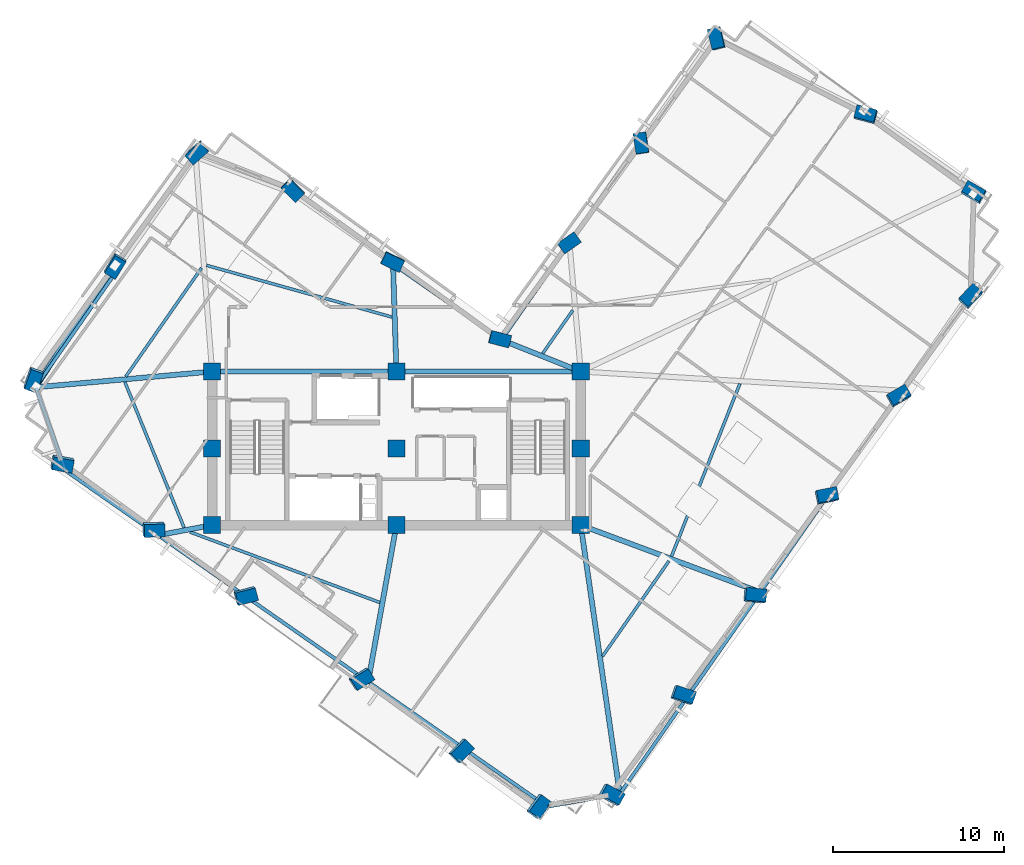
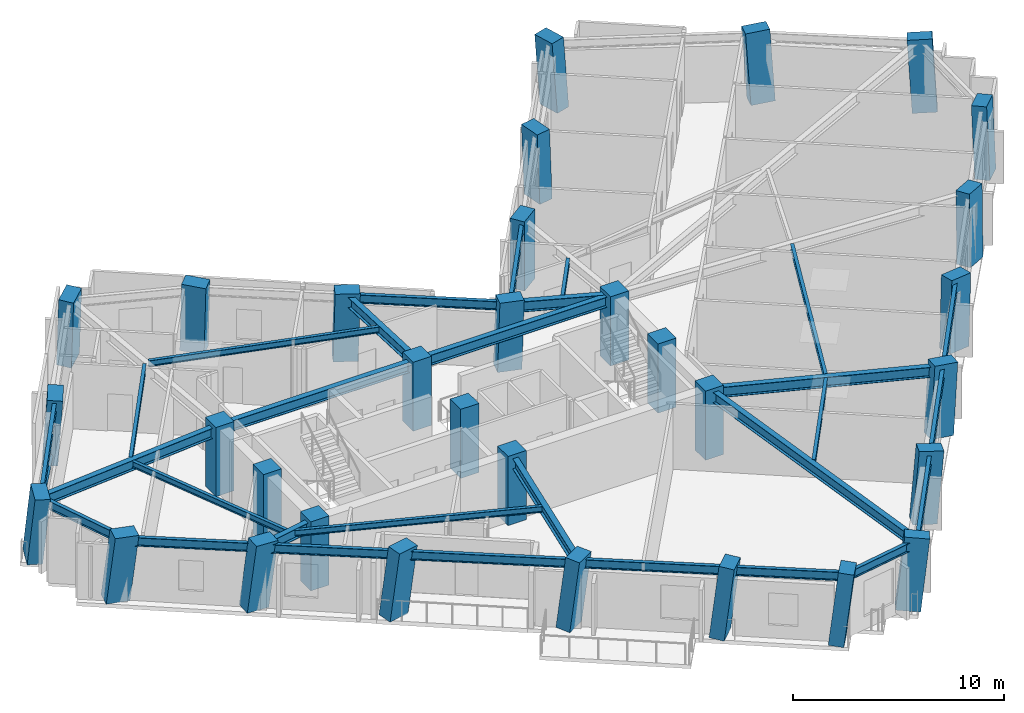
# One storey, part 1 of 13: 32 columns, 29 beams, 1 member.
"""IFC4 building model written with IfcOpenShell, lengths in metres."""

from ifc_helpers import new_model, si_unit, direction, frame, origin, origin_2d, place, context, subcontext, project, spatial, rectangle, hollow_circle, i_section, extrude, material, material_profile, profile_set, type_object, element, save


model = new_model("IFC4")

# Units and contexts
model_context = context("Model", 3, precision=1e-05, world=origin(), true_north=direction((0.0, 1.0)))
body_context = subcontext(model_context, "Body", "Model", "MODEL_VIEW")
ifc_project = project(units=[si_unit("LENGTHUNIT", "METRE"), si_unit("AREAUNIT", "SQUARE_METRE"), si_unit("VOLUMEUNIT", "CUBIC_METRE"), si_unit("PLANEANGLEUNIT", "RADIAN"), si_unit("MASSUNIT", "GRAM", prefix="KILO")], contexts=[model_context])

# Site, building, storey
site_placement = place(None, origin())
site = spatial("IfcSite", under=ifc_project, at=site_placement, CompositionType="ELEMENT")
building_placement = place(site_placement, origin())
building = spatial("IfcBuilding", under=site, at=building_placement, Name="Gaonmaruhae Medical Tower", CompositionType="ELEMENT")
storey_placement = place(building_placement, frame((0.0, 0.0, 255.199951171875)))
storey = spatial("IfcBuildingStorey", under=building, at=storey_placement, Name="L61", CompositionType="ELEMENT", Elevation=255.199951171875)

# Columns
ifc_material_1 = material(Name="Concrete C50/60", Category="concrete")
ifc_material_profile_1 = material_profile(ifc_material_1, rectangle(XDim=1.0, YDim=1.0, at=origin_2d()), Name="RC-1000x1000")
ifc_profile_set_1 = profile_set([ifc_material_profile_1], Name="Concrete C50/60")
column_type_1 = type_object("IfcColumnType", Name="CC-05 Zone 4 Core Column (RC-1000x1000)", PredefinedType="COLUMN", material=ifc_profile_set_1)
for number, where, z_axis, x_axis, name in (
    (1, (14.0, 7.800048828125, 0.0), (0.0, 0.0, 1.0), (1.0, 0.0, 0.0), "L61 Plumb Core Column CC11"),
    (2, (14.0, 12.300048828125, 0.0), (0.0, 0.0, 1.0), (1.0, 0.0, 0.0), "L61 Plumb Core Column CC12"),
    (3, (14.0, 16.800048828125, 0.0), (0.0, 0.0, 1.0), (1.0, 0.0, 0.0), "L61 Plumb Core Column CC13"),
    (4, (24.800048828125, 7.800048828125, 0.0), (0.0, 0.0, 1.0), (1.0, 0.0, 0.0), "L61 Plumb Core Column CC21"),
    (5, (24.800048828125, 12.300048828125, 0.0), (0.0, 0.0, 1.0), (1.0, 0.0, 0.0), "L61 Plumb Core Column CC22"),
    (6, (24.800048828125, 16.800048828125, 0.0), (0.0, 0.0, 1.0), (1.0, 0.0, 0.0), "L61 Plumb Core Column CC23"),
    (7, (35.60009765625, 7.800048828125, 0.0), (0.0, 0.0, 1.0), (1.0, 0.0, 0.0), "L61 Plumb Core Column CC31"),
    (8, (35.60009765625, 12.300048828125, 0.0), (0.0, 0.0, 1.0), (1.0, 0.0, 0.0), "L61 Plumb Core Column CC32"),
    (9, (35.60009765625, 16.800048828125, 0.0), (0.0, 0.0, 1.0), (1.0, 0.0, 0.0), "L61 Plumb Core Column CC33"),
):
    element("IfcColumn", number, at=place(storey_placement, frame(where, z_axis=z_axis, x_axis=x_axis)), inside=storey, type_object=column_type_1, Name=name, PredefinedType="COLUMN", context=body_context, shape_type="SweptSolid", body=[
        extrude(rectangle(XDim=1.0, YDim=1.0, at=origin_2d()), origin(), (0.0, 0.0, 1.0), 4.0),
    ])
ifc_material_profile_2 = material_profile(ifc_material_1, rectangle(XDim=1.199951171875, YDim=0.75, at=origin_2d()), Name="RC-1200x750")
ifc_profile_set_2 = profile_set([ifc_material_profile_2], Name="Concrete C50/60")
column_type_2 = type_object("IfcColumnType", Name="TC-03 Upper Raking Tube Pier Column (RC-1200x750)", PredefinedType="COLUMN", material=ifc_profile_set_2)
column_1_placement = place(storey_placement, frame((37.3447265625, -8.008544921875, 0.001953125), z_axis=(0.134611265508, 0.016523774948, 0.990760703732), x_axis=(-0.868437215184, 0.483458914393, 0.109928528495)))
element("IfcColumn", 10, at=column_1_placement, inside=storey, type_object=column_type_2, Name="L61 Perimeter Tube Column S01", PredefinedType="COLUMN", context=body_context, shape_type="SweptSolid", body=[
    extrude(rectangle(XDim=1.199951171875, YDim=0.75, at=origin_2d()), origin(), (0.0, 0.0, 1.0), 4.03369140625),
])
column_2_placement = place(storey_placement, frame((41.5615234375, -2.172607421875, 0.001953125), z_axis=(0.110801547545, 0.033738039669, 0.993269732621), x_axis=(-0.940781872951, 0.325754058445, 0.093881632568)))
element("IfcColumn", 11, at=column_2_placement, inside=storey, type_object=column_type_2, Name="L61 Perimeter Tube Column S02", PredefinedType="COLUMN", context=body_context, shape_type="SweptSolid", body=[
    extrude(rectangle(XDim=1.199951171875, YDim=0.75, at=origin_2d()), origin(), (0.0, 0.0, 1.0), 4.0234375),
])
column_3_placement = place(storey_placement, frame((45.7783203125, 3.66357421875, 0.001953125), z_axis=(0.086734862817, 0.050934698697, 0.994928499964), x_axis=(-0.991973488949, 0.09665186212, 0.081529226481)))
element("IfcColumn", 12, at=column_3_placement, inside=storey, type_object=column_type_2, Name="L61 Perimeter Tube Column S03", PredefinedType="COLUMN", context=body_context, shape_type="SweptSolid", body=[
    extrude(rectangle(XDim=1.199951171875, YDim=0.75, at=origin_2d()), origin(), (0.0, 0.0, 1.0), 4.0166015625),
])
column_4_placement = place(storey_placement, frame((49.9951171875, 9.49951171875, 0.001953125), z_axis=(0.062592857053, 0.068189108606, 0.995706974824), x_axis=(-0.977221341298, -0.198518401918, 0.075025956915)))
element("IfcColumn", 13, at=column_4_placement, inside=storey, type_object=column_type_2, Name="L61 Perimeter Tube Column S04", PredefinedType="COLUMN", context=body_context, shape_type="SweptSolid", body=[
    extrude(rectangle(XDim=1.199951171875, YDim=0.75, at=origin_2d()), origin(), (0.0, 0.0, 1.0), 4.013671875),
])
column_5_placement = place(storey_placement, frame((54.2119140625, 15.33544921875, 0.001953125), z_axis=(0.038318426238, 0.085395349901, 0.995610030296), x_axis=(-0.864713750132, -0.496502169968, 0.075866498211)))
element("IfcColumn", 14, at=column_5_placement, inside=storey, type_object=column_type_2, Name="L61 Perimeter Tube Column S05", PredefinedType="COLUMN", context=body_context, shape_type="SweptSolid", body=[
    extrude(rectangle(XDim=1.199951171875, YDim=0.75, at=origin_2d()), origin(), (0.0, 0.0, 1.0), 4.013916015625),
])
column_6_placement = place(storey_placement, frame((58.428466796875, 21.171630859375, 0.001953125), z_axis=(0.014157894762, 0.102447255662, 0.994637679672), x_axis=(-0.69051780132, -0.718441374913, 0.08382813891)))
element("IfcColumn", 15, at=column_6_placement, inside=storey, type_object=column_type_2, Name="L61 Perimeter Tube Column S06", PredefinedType="COLUMN", context=body_context, shape_type="SweptSolid", body=[
    extrude(rectangle(XDim=1.199951171875, YDim=0.75, at=origin_2d()), origin(), (0.0, 0.0, 1.0), 4.017822265625),
])
column_7_placement = place(storey_placement, frame((58.630126953125, 27.256103515625, 0.001953125), z_axis=(-0.010937120027, 0.103112737144, 0.994609542908), x_axis=(0.867473204164, -0.493763417536, 0.060728309384)))
element("IfcColumn", 16, at=column_7_placement, inside=storey, type_object=column_type_2, Name="L61 Perimeter Tube Column E01", PredefinedType="COLUMN", context=body_context, shape_type="SweptSolid", body=[
    extrude(rectangle(XDim=1.199951171875, YDim=0.75, at=origin_2d()), origin(), (0.0, 0.0, 1.0), 4.01806640625),
])
column_8_placement = place(storey_placement, frame((52.307861328125, 31.82421875, 0.001953125), z_axis=(-0.029649872791, 0.077016610023, 0.996588845424), x_axis=(0.966131124092, -0.253484840715, 0.048333079659)))
element("IfcColumn", 17, at=column_8_placement, inside=storey, type_object=column_type_2, Name="L61 Perimeter Tube Column E02", PredefinedType="COLUMN", context=body_context, shape_type="SweptSolid", body=[
    extrude(rectangle(XDim=1.199951171875, YDim=0.75, at=origin_2d()), origin(), (0.0, 0.0, 1.0), 4.010009765625),
])
column_9_placement = place(storey_placement, frame((43.56689453125, 36.289306640625, 0.001953125), z_axis=(-0.047861468634, 0.040849915904, 0.998018318565), x_axis=(0.235093031796, -0.970633778523, 0.051003278244)))
element("IfcColumn", 18, at=column_9_placement, inside=storey, type_object=column_type_2, Name="L61 Perimeter Tube Column E03", PredefinedType="COLUMN", context=body_context, shape_type="SweptSolid", body=[
    extrude(rectangle(XDim=1.199951171875, YDim=0.75, at=origin_2d()), origin(), (0.0, 0.0, 1.0), 4.00439453125),
])
column_10_placement = place(storey_placement, frame((39.145263671875, 30.169677734375, 0.001953125), z_axis=(-0.022408981669, 0.022775341042, 0.99948943035), x_axis=(0.150719539021, -0.988237272701, 0.025898135105)))
element("IfcColumn", 19, at=column_10_placement, inside=storey, type_object=column_type_2, Name="L61 Perimeter Tube Column EN01", PredefinedType="COLUMN", context=body_context, shape_type="SweptSolid", body=[
    extrude(rectangle(XDim=1.199951171875, YDim=0.75, at=origin_2d()), origin(), (0.0, 0.0, 1.0), 3.998291015625),
])
column_11_placement = place(storey_placement, frame((34.928466796875, 24.33349609375, 0.001953125), z_axis=(0.001893791031, 0.005559193026, 0.999982754316), x_axis=(-0.815748535883, -0.578387124425, 0.004760305024)))
element("IfcColumn", 20, at=column_11_placement, inside=storey, type_object=column_type_2, Name="L61 Perimeter Tube Column EN02", PredefinedType="COLUMN", context=body_context, shape_type="SweptSolid", body=[
    extrude(rectangle(XDim=1.199951171875, YDim=0.75, at=origin_2d()), origin(), (0.0, 0.0, 1.0), 3.996337890625),
])
column_12_placement = place(storey_placement, frame((30.858154296875, 18.7001953125, 0.001953125), z_axis=(0.025404102612, -0.011175362447, 0.999614797232), x_axis=(-0.967383589686, 0.251829726093, 0.027400355134)))
element("IfcColumn", 21, at=column_12_placement, inside=storey, type_object=column_type_2, Name="L61 Perimeter Tube Column KN01", PredefinedType="COLUMN", context=body_context, shape_type="SweptSolid", body=[
    extrude(rectangle(XDim=1.199951171875, YDim=0.75, at=origin_2d()), origin(), (0.0, 0.0, 1.0), 3.997802734375),
])
column_13_placement = place(storey_placement, frame((24.576416015625, 23.239013671875, 0.001953125), z_axis=(0.006776235998, -0.037299821574, 0.999281144592), x_axis=(-0.902108356934, 0.430937987842, 0.022202769759)))
element("IfcColumn", 22, at=column_13_placement, inside=storey, type_object=column_type_2, Name="L61 Perimeter Tube Column NE01", PredefinedType="COLUMN", context=body_context, shape_type="SweptSolid", body=[
    extrude(rectangle(XDim=1.199951171875, YDim=0.75, at=origin_2d()), origin(), (0.0, 0.0, 1.0), 3.999267578125),
])
column_14_placement = place(storey_placement, frame((18.740234375, 27.455810546875, 0.001953125), z_axis=(-0.010426179939, -0.061581530636, 0.998047598993), x_axis=(-0.7016048019, 0.711626761454, 0.036579425007)))
element("IfcColumn", 23, at=column_14_placement, inside=storey, type_object=column_type_2, Name="L61 Perimeter Tube Column NE02", PredefinedType="COLUMN", context=body_context, shape_type="SweptSolid", body=[
    extrude(rectangle(XDim=1.199951171875, YDim=0.75, at=origin_2d()), origin(), (0.0, 0.0, 1.0), 4.004150390625),
])
column_15_placement = place(storey_placement, frame((13.1201171875, 29.666015625, 0.001953125), z_axis=(-0.019414311893, -0.08471699735, 0.996215897712), x_axis=(0.751239915537, 0.65625887823, 0.070447668859)))
element("IfcColumn", 24, at=column_15_placement, inside=storey, type_object=column_type_2, Name="L61 Perimeter Tube Column N01", PredefinedType="COLUMN", context=body_context, shape_type="SweptSolid", body=[
    extrude(rectangle(XDim=1.199951171875, YDim=0.75, at=origin_2d()), origin(), (0.0, 0.0, 1.0), 4.011474609375),
])
column_16_placement = place(storey_placement, frame((8.317626953125, 23.01953125, 0.001953125), z_axis=(0.008202176681, -0.10413726542, 0.994529111816), x_axis=(0.520560631231, 0.849616141392, 0.084670192506)))
element("IfcColumn", 25, at=column_16_placement, inside=storey, type_object=column_type_2, Name="L61 Perimeter Tube Column N02", PredefinedType="COLUMN", context=body_context, shape_type="SweptSolid", body=[
    extrude(rectangle(XDim=1.199951171875, YDim=0.75, at=origin_2d()), origin(), (0.0, 0.0, 1.0), 4.018310546875),
])
column_17_placement = place(storey_placement, frame((3.515380859375, 16.373046875, 0.001953125), z_axis=(0.035623982512, -0.123411653703, 0.991715934933), x_axis=(0.339757548068, 0.934732419667, 0.104115859283)))
element("IfcColumn", 26, at=column_17_placement, inside=storey, type_object=column_type_2, Name="L61 Perimeter Tube Column N03", PredefinedType="COLUMN", context=body_context, shape_type="SweptSolid", body=[
    extrude(rectangle(XDim=1.199951171875, YDim=0.75, at=origin_2d()), origin(), (0.0, 0.0, 1.0), 4.02978515625),
])
column_18_placement = place(storey_placement, frame((5.203125, 11.4521484375, 0.001953125), z_axis=(0.055855526664, -0.116254615693, 0.991647631203), x_axis=(-0.98211534436, 0.172463303398, 0.075537138904)))
element("IfcColumn", 27, at=column_18_placement, inside=storey, type_object=column_type_2, Name="L61 Perimeter Tube Column W01", PredefinedType="COLUMN", context=body_context, shape_type="SweptSolid", body=[
    extrude(rectangle(XDim=1.199951171875, YDim=0.75, at=origin_2d()), origin(), (0.0, 0.0, 1.0), 4.030029296875),
])
column_19_placement = place(storey_placement, frame((10.552978515625, 7.5869140625, 0.001953125), z_axis=(0.071580718062, -0.094268165991, 0.992970147428), x_axis=(-0.997228265917, -0.02702229823, 0.069322298389)))
element("IfcColumn", 28, at=column_19_placement, inside=storey, type_object=column_type_2, Name="L61 Perimeter Tube Column W02", PredefinedType="COLUMN", context=body_context, shape_type="SweptSolid", body=[
    extrude(rectangle(XDim=1.199951171875, YDim=0.75, at=origin_2d()), origin(), (0.0, 0.0, 1.0), 4.024658203125),
])
column_20_placement = place(storey_placement, frame((15.943115234375, 3.692138671875, 0.001953125), z_axis=(0.087525830484, -0.071987264184, 0.993557780299), x_axis=(-0.964292743084, -0.256387070129, 0.066371499197)))
element("IfcColumn", 29, at=column_20_placement, inside=storey, type_object=column_type_2, Name="L61 Perimeter Tube Column W03", PredefinedType="COLUMN", context=body_context, shape_type="SweptSolid", body=[
    extrude(rectangle(XDim=1.199951171875, YDim=0.75, at=origin_2d()), origin(), (0.0, 0.0, 1.0), 4.022216796875),
])
column_21_placement = place(storey_placement, frame((22.711181640625, -1.197998046875, 0.001953125), z_axis=(0.10740076989, -0.043931162373, 0.993244747079), x_axis=(-0.845277607814, -0.529987984492, 0.067959561675)))
element("IfcColumn", 30, at=column_21_placement, inside=storey, type_object=column_type_2, Name="L61 Perimeter Tube Column W04", PredefinedType="COLUMN", context=body_context, shape_type="SweptSolid", body=[
    extrude(rectangle(XDim=1.199951171875, YDim=0.75, at=origin_2d()), origin(), (0.0, 0.0, 1.0), 4.0234375),
])
column_22_placement = place(storey_placement, frame((28.547119140625, -5.414794921875, 0.001953125), z_axis=(0.124420758692, -0.019757022569, 0.99203282953), x_axis=(-0.700926607368, -0.709406882175, 0.073781885353)))
element("IfcColumn", 31, at=column_22_placement, inside=storey, type_object=column_type_2, Name="L61 Perimeter Tube Column W05", PredefinedType="COLUMN", context=body_context, shape_type="SweptSolid", body=[
    extrude(rectangle(XDim=1.199951171875, YDim=0.75, at=origin_2d()), origin(), (0.0, 0.0, 1.0), 4.0283203125),
])
column_23_placement = place(storey_placement, frame((33.08642578125, -8.6943359375, 0.001953125), z_axis=(0.137540264824, -0.00102867774, 0.990495642279), x_axis=(-0.586144682843, -0.806191871811, 0.080554804953)))
element("IfcColumn", 32, at=column_23_placement, inside=storey, type_object=column_type_2, Name="L61 Perimeter Tube Column W06", PredefinedType="COLUMN", context=body_context, shape_type="SweptSolid", body=[
    extrude(rectangle(XDim=1.199951171875, YDim=0.75, at=origin_2d()), origin(), (0.0, 0.0, 1.0), 4.03466796875),
])

# Beams
ifc_material_2 = material(Name="Steel SM355", Category="steel")
ifc_material_profile_3 = material_profile(ifc_material_2, i_section(OverallWidth=0.175048828125, OverallDepth=0.35009765625, WebThickness=0.007080078125, FlangeThickness=0.010986328125, FilletRadius=0.012939453125, at=origin_2d()), Name="H-350x175x7x11")
ifc_profile_set_3 = profile_set([ifc_material_profile_3], Name="Steel SM355")
beam_type_1 = type_object("IfcBeamType", Name="FJ-02 Upper Zone Ward Floor Joist (H-350x175x7x11)", PredefinedType="JOIST", material=ifc_profile_set_3)
beam_1_placement = place(storey_placement, frame((36.872802734375, 0.11376953125, 3.60498046875), z_axis=(0.572163101073, 0.820139857446, 0.0), x_axis=(-0.820139857446, 0.572163101073, 0.0)))
element("IfcBeam", 33, at=beam_1_placement, inside=storey, type_object=beam_type_1, Name="L61 Secondary Floor Joist FJ01", PredefinedType="JOIST", context=body_context, shape_type="SweptSolid", body=[
    extrude(i_section(OverallWidth=0.175048828125, OverallDepth=0.35009765625, WebThickness=0.007080078125, FlangeThickness=0.010986328125, FilletRadius=0.012939453125, at=origin_2d()), origin(), (0.0, 0.0, 1.0), 6.81396484375),
])
beam_2_placement = place(storey_placement, frame((40.9208984375, 5.979248046875, 3.60498046875), z_axis=(0.3681087202, 0.929782754256, 0.0), x_axis=(-0.929782754256, 0.3681087202, 0.0)))
element("IfcBeam", 34, at=beam_2_placement, inside=storey, type_object=beam_type_1, Name="L61 Secondary Floor Joist FJ02", PredefinedType="JOIST", context=body_context, shape_type="SweptSolid", body=[
    extrude(i_section(OverallWidth=0.175048828125, OverallDepth=0.35009765625, WebThickness=0.007080078125, FlangeThickness=0.010986328125, FilletRadius=0.012939453125, at=origin_2d()), origin(), (0.0, 0.0, 1.0), 10.87109375),
])
beam_3_placement = place(storey_placement, frame((35.130859375, 20.38134765625, 3.60498046875), z_axis=(-0.572145583763, -0.820152077959, 0.0), x_axis=(0.820152077959, -0.572145583763, 0.0)))
element("IfcBeam", 35, at=beam_3_placement, inside=storey, type_object=beam_type_1, Name="L61 Secondary Floor Joist FJ05", PredefinedType="JOIST", context=body_context, shape_type="SweptSolid", body=[
    extrude(i_section(OverallWidth=0.175048828125, OverallDepth=0.35009765625, WebThickness=0.007080078125, FlangeThickness=0.010986328125, FilletRadius=0.012939453125, at=origin_2d()), origin(), (0.0, 0.0, 1.0), 3.0751953125),
])
beam_4_placement = place(storey_placement, frame((24.54443359375, 19.98876953125, 3.60498046875), z_axis=(-0.96324138447, 0.268637367551, 0.0), x_axis=(-0.268637367551, -0.96324138447, 0.0)))
element("IfcBeam", 36, at=beam_4_placement, inside=storey, type_object=beam_type_1, Name="L61 Secondary Floor Joist FJ07", PredefinedType="JOIST", context=body_context, shape_type="SweptSolid", body=[
    extrude(i_section(OverallWidth=0.175048828125, OverallDepth=0.35009765625, WebThickness=0.007080078125, FlangeThickness=0.010986328125, FilletRadius=0.012939453125, at=origin_2d()), origin(), (0.0, 0.0, 1.0), 11.2783203125),
])
beam_5_placement = place(storey_placement, frame((13.382080078125, 22.86376953125, 3.60498046875), z_axis=(-0.572128413336, -0.820164055939, 0.0), x_axis=(0.820164055939, -0.572128413336, 0.0)))
element("IfcBeam", 37, at=beam_5_placement, inside=storey, type_object=beam_type_1, Name="L61 Secondary Floor Joist FJ08", PredefinedType="JOIST", context=body_context, shape_type="SweptSolid", body=[
    extrude(i_section(OverallWidth=0.175048828125, OverallDepth=0.35009765625, WebThickness=0.007080078125, FlangeThickness=0.010986328125, FilletRadius=0.012939453125, at=origin_2d()), origin(), (0.0, 0.0, 1.0), 7.75537109375),
])
beam_6_placement = place(storey_placement, frame((8.890869140625, 16.186767578125, 3.60498046875), z_axis=(0.376597360788, -0.926377044106, 0.0), x_axis=(0.926377044106, 0.376597360788, 0.0)))
element("IfcBeam", 38, at=beam_6_placement, inside=storey, type_object=beam_type_1, Name="L61 Secondary Floor Joist FJ09", PredefinedType="JOIST", context=body_context, shape_type="SweptSolid", body=[
    extrude(i_section(OverallWidth=0.175048828125, OverallDepth=0.35009765625, WebThickness=0.007080078125, FlangeThickness=0.010986328125, FilletRadius=0.012939453125, at=origin_2d()), origin(), (0.0, 0.0, 1.0), 9.214111328125),
])
beam_7_placement = place(storey_placement, frame((12.69921875, 7.400146484375, 3.60498046875), z_axis=(0.937410305925, -0.348226820255, 0.0), x_axis=(0.348226820255, 0.937410305925, 0.0)))
element("IfcBeam", 39, at=beam_7_placement, inside=storey, type_object=beam_type_1, Name="L61 Secondary Floor Joist FJ10", PredefinedType="JOIST", context=body_context, shape_type="SweptSolid", body=[
    extrude(i_section(OverallWidth=0.175048828125, OverallDepth=0.35009765625, WebThickness=0.007080078125, FlangeThickness=0.010986328125, FilletRadius=0.012939453125, at=origin_2d()), origin(), (0.0, 0.0, 1.0), 11.86669921875),
])

# Member
ifc_material_profile_4 = material_profile(ifc_material_2, hollow_circle(Radius=0.1591796875, WallThickness=0.01025390625, at=origin_2d()), Name="CHS-318.5x10.3")
ifc_profile_set_4 = profile_set([ifc_material_profile_4], Name="Steel SM355")
member_type = type_object("IfcMemberType", Name="PB-03 Perimeter Solid-Bay Tube Brace Upper (CHS-318.5x10.3)", PredefinedType="BRACE", material=ifc_profile_set_4)
member_placement = place(storey_placement, frame((8.317626953125, 23.019775390625, 0.25), z_axis=(-0.509796073108, -0.781833367609, 0.358949229191), x_axis=(0.837657289951, -0.546196177752, 0.0)))
element("IfcMember", 40, at=member_placement, inside=storey, type_object=member_type, Name="L61 Perimeter Tube Solid-Bay Brace N02-N03", PredefinedType="BRACE", context=body_context, shape_type="SweptSolid", body=[
    extrude(hollow_circle(Radius=0.1591796875, WallThickness=0.01025390625, at=origin_2d()), origin(), (0.0, 0.0, 1.0), 9.137939453125),
])

# Beams
ifc_material_3 = material(Name="Steel SM420", Category="steel")
ifc_material_profile_5 = material_profile(ifc_material_3, i_section(OverallWidth=0.300048828125, OverallDepth=0.60009765625, WebThickness=0.011962890625, FlangeThickness=0.02001953125, FilletRadius=0.012939453125, at=origin_2d()), Name="H-600x300x12x20")
ifc_profile_set_5 = profile_set([ifc_material_profile_5], Name="Steel SM420")
beam_type_2 = type_object("IfcBeamType", Name="PG-04 Zone 4 Radial Floor Girder (H-600x300x12x20)", PredefinedType="BEAM", material=ifc_profile_set_5)
for number, where, z_axis, x_axis, name in (
    (41, (14.050048828125, 16.800048828125, 3.47998046875), (1.0, 0.0, 0.0), (0.0, 1.0, 0.0), "L61 Beam BM-L61-CG-N1"),
    (42, (24.85009765625, 16.800048828125, 3.47998046875), (1.0, 0.0, 0.0), (0.0, 1.0, 0.0), "L61 Beam BM-L61-CG-N2"),
):
    element("IfcBeam", number, at=place(storey_placement, frame(where, z_axis=z_axis, x_axis=x_axis)), inside=storey, type_object=beam_type_2, Name=name, PredefinedType="BEAM", context=body_context, shape_type="SweptSolid", body=[
        extrude(i_section(OverallWidth=0.300048828125, OverallDepth=0.60009765625, WebThickness=0.011962890625, FlangeThickness=0.02001953125, FilletRadius=0.012939453125, at=origin_2d()), origin(), (0.0, 0.0, 1.0), 10.699951171875),
    ])
beam_8_placement = place(storey_placement, frame((35.607177734375, 7.75048828125, 3.47998046875), z_axis=(0.143836172168, -0.989601513528, 0.0), x_axis=(0.989601513528, 0.143836172168, 0.0)))
element("IfcBeam", 43, at=beam_8_placement, inside=storey, type_object=beam_type_2, Name="L61 Radial Primary Girder S01", PredefinedType="BEAM", context=body_context, shape_type="SweptSolid", body=[
    extrude(i_section(OverallWidth=0.300048828125, OverallDepth=0.60009765625, WebThickness=0.011962890625, FlangeThickness=0.02001953125, FilletRadius=0.012939453125, at=origin_2d()), origin(), (0.0, 0.0, 1.0), 15.807373046875),
])
beam_9_placement = place(storey_placement, frame((35.646728515625, 7.782470703125, 3.47998046875), z_axis=(0.936794100113, -0.349881142668, 0.0), x_axis=(0.349881142668, 0.936794100113, 0.0)))
element("IfcBeam", 44, at=beam_9_placement, inside=storey, type_object=beam_type_2, Name="L61 Radial Primary Girder S03", PredefinedType="BEAM", context=body_context, shape_type="SweptSolid", body=[
    extrude(i_section(OverallWidth=0.300048828125, OverallDepth=0.60009765625, WebThickness=0.011962890625, FlangeThickness=0.02001953125, FilletRadius=0.012939453125, at=origin_2d()), origin(), (0.0, 0.0, 1.0), 11.13720703125),
])
beam_10_placement = place(storey_placement, frame((35.553466796875, 16.818603515625, 3.47998046875), z_axis=(-0.928517940855, 0.371287534816, 0.0), x_axis=(-0.371287534816, -0.928517940855, 0.0)))
element("IfcBeam", 45, at=beam_10_placement, inside=storey, type_object=beam_type_2, Name="L61 Radial Primary Girder KN01", PredefinedType="BEAM", context=body_context, shape_type="SweptSolid", body=[
    extrude(i_section(OverallWidth=0.300048828125, OverallDepth=0.60009765625, WebThickness=0.011962890625, FlangeThickness=0.02001953125, FilletRadius=0.012939453125, at=origin_2d()), origin(), (0.0, 0.0, 1.0), 4.8974609375),
])
beam_11_placement = place(storey_placement, frame((24.79833984375, 16.85009765625, 3.47998046875), z_axis=(-0.03122367524, 0.999512422186, 0.0), x_axis=(-0.999512422186, -0.03122367524, 0.0)))
element("IfcBeam", 46, at=beam_11_placement, inside=storey, type_object=beam_type_2, Name="L61 Radial Primary Girder NE01", PredefinedType="BEAM", context=body_context, shape_type="SweptSolid", body=[
    extrude(i_section(OverallWidth=0.300048828125, OverallDepth=0.60009765625, WebThickness=0.011962890625, FlangeThickness=0.02001953125, FilletRadius=0.012939453125, at=origin_2d()), origin(), (0.0, 0.0, 1.0), 6.192626953125),
])
beam_12_placement = place(storey_placement, frame((13.9501953125, 16.795654296875, 3.47998046875), z_axis=(-0.996025828051, -0.089064863188, 0.0), x_axis=(0.089064863188, -0.996025828051, 0.0)))
element("IfcBeam", 47, at=beam_12_placement, inside=storey, type_object=beam_type_2, Name="L61 Radial Primary Girder N03", PredefinedType="BEAM", context=body_context, shape_type="SweptSolid", body=[
    extrude(i_section(OverallWidth=0.300048828125, OverallDepth=0.60009765625, WebThickness=0.011962890625, FlangeThickness=0.02001953125, FilletRadius=0.012939453125, at=origin_2d()), origin(), (0.0, 0.0, 1.0), 10.281982421875),
])
beam_13_placement = place(storey_placement, frame((13.950927734375, 7.790771484375, 3.47998046875), z_axis=(-0.982850878619, -0.184402143149, 0.0), x_axis=(0.184402143149, -0.982850878619, 0.0)))
element("IfcBeam", 48, at=beam_13_placement, inside=storey, type_object=beam_type_2, Name="L61 Radial Primary Girder W02", PredefinedType="BEAM", context=body_context, shape_type="SweptSolid", body=[
    extrude(i_section(OverallWidth=0.300048828125, OverallDepth=0.60009765625, WebThickness=0.011962890625, FlangeThickness=0.02001953125, FilletRadius=0.012939453125, at=origin_2d()), origin(), (0.0, 0.0, 1.0), 3.114013671875),
])
beam_14_placement = place(storey_placement, frame((24.791015625, 7.750732421875, 3.47998046875), z_axis=(-0.17766935707, -0.98409023954, 0.0), x_axis=(0.98409023954, -0.17766935707, 0.0)))
element("IfcBeam", 49, at=beam_14_placement, inside=storey, type_object=beam_type_2, Name="L61 Radial Primary Girder W04", PredefinedType="BEAM", context=body_context, shape_type="SweptSolid", body=[
    extrude(i_section(OverallWidth=0.300048828125, OverallDepth=0.60009765625, WebThickness=0.011962890625, FlangeThickness=0.02001953125, FilletRadius=0.012939453125, at=origin_2d()), origin(), (0.0, 0.0, 1.0), 9.22314453125),
])
ifc_material_profile_6 = material_profile(ifc_material_2, i_section(OverallWidth=0.199951171875, OverallDepth=0.5, WebThickness=0.010009765625, FlangeThickness=0.01611328125, FilletRadius=0.012939453125, at=origin_2d()), Name="H-500x200x10x16")
ifc_profile_set_6 = profile_set([ifc_material_profile_6], Name="Steel SM355")
beam_type_3 = type_object("IfcBeamType", Name="SP-02 Upper Perimeter Spandrel Beam (H-500x200x10x16)", PredefinedType="SPANDREL", material=ifc_profile_set_6)
for number, where, z_axis, x_axis, name in (
    (50, (37.910888671875, -7.9091796875, 3.530029296875), (0.572142978389, 0.820153895486, 0.0), (-0.820153895486, 0.572142978389, 0.0), "L61 Perimeter Spandrel Beam S01-S02"),
    (51, (42.0302734375, -2.004150390625, 3.530029296875), (0.572142978389, 0.820153895486, 0.0), (-0.820153895486, 0.572142978389, 0.0), "L61 Perimeter Spandrel Beam S02-S03"),
):
    element("IfcBeam", number, at=place(storey_placement, frame(where, z_axis=z_axis, x_axis=x_axis)), inside=storey, type_object=beam_type_3, Name=name, PredefinedType="SPANDREL", context=body_context, shape_type="SweptSolid", body=[
        extrude(i_section(OverallWidth=0.199951171875, OverallDepth=0.5, WebThickness=0.010009765625, FlangeThickness=0.01611328125, FilletRadius=0.012939453125, at=origin_2d()), origin(), (0.0, 0.0, 1.0), 7.1201171875),
    ])
beam_15_placement = place(storey_placement, frame((46.14990234375, 3.901123046875, 3.530029296875), z_axis=(0.572136003448, 0.820158761191, 0.0), x_axis=(-0.820158761191, 0.572136003448, 0.0)))
element("IfcBeam", 52, at=beam_15_placement, inside=storey, type_object=beam_type_3, Name="L61 Perimeter Spandrel Beam S03-S04", PredefinedType="SPANDREL", context=body_context, shape_type="SweptSolid", body=[
    extrude(i_section(OverallWidth=0.199951171875, OverallDepth=0.5, WebThickness=0.010009765625, FlangeThickness=0.01611328125, FilletRadius=0.012939453125, at=origin_2d()), origin(), (0.0, 0.0, 1.0), 7.119873046875),
])
beam_16_placement = place(storey_placement, frame((34.9130859375, 24.32275390625, 3.530029296875), z_axis=(-0.572159360419, -0.820142467066, 0.0), x_axis=(0.820142467066, -0.572159360419, 0.0)))
element("IfcBeam", 53, at=beam_16_placement, inside=storey, type_object=beam_type_3, Name="L61 Perimeter Spandrel Beam EN02-KN01", PredefinedType="SPANDREL", context=body_context, shape_type="SweptSolid", body=[
    extrude(i_section(OverallWidth=0.199951171875, OverallDepth=0.5, WebThickness=0.010009765625, FlangeThickness=0.01611328125, FilletRadius=0.012939453125, at=origin_2d()), origin(), (0.0, 0.0, 1.0), 6.869873046875),
])
beam_17_placement = place(storey_placement, frame((30.9267578125, 18.678466796875, 3.530029296875), z_axis=(-0.820146059124, 0.572154211471, 0.0), x_axis=(-0.572154211471, -0.820146059124, 0.0)))
element("IfcBeam", 54, at=beam_17_placement, inside=storey, type_object=beam_type_3, Name="L61 Perimeter Spandrel Beam KN01-NE01", PredefinedType="SPANDREL", context=body_context, shape_type="SweptSolid", body=[
    extrude(i_section(OverallWidth=0.199951171875, OverallDepth=0.5, WebThickness=0.010009765625, FlangeThickness=0.01611328125, FilletRadius=0.012939453125, at=origin_2d()), origin(), (0.0, 0.0, 1.0), 7.669921875),
])
beam_18_placement = place(storey_placement, frame((8.327880859375, 22.56787109375, 3.530029296875), z_axis=(-0.572172189841, -0.820133516674, 0.0), x_axis=(0.820133516674, -0.572172189841, 0.0)))
element("IfcBeam", 55, at=beam_18_placement, inside=storey, type_object=beam_type_3, Name="L61 Perimeter Spandrel Beam N02-N03", PredefinedType="SPANDREL", context=body_context, shape_type="SweptSolid", body=[
    extrude(i_section(OverallWidth=0.199951171875, OverallDepth=0.5, WebThickness=0.010009765625, FlangeThickness=0.01611328125, FilletRadius=0.012939453125, at=origin_2d()), origin(), (0.0, 0.0, 1.0), 8.119873046875),
])
beam_19_placement = place(storey_placement, frame((3.672607421875, 15.837890625, 3.530029296875), z_axis=(0.340119939685, -0.940382064179, 0.0), x_axis=(0.940382064179, 0.340119939685, 0.0)))
element("IfcBeam", 56, at=beam_19_placement, inside=storey, type_object=beam_type_3, Name="L61 Perimeter Spandrel Beam N03-W01", PredefinedType="SPANDREL", context=body_context, shape_type="SweptSolid", body=[
    extrude(i_section(OverallWidth=0.199951171875, OverallDepth=0.5, WebThickness=0.010009765625, FlangeThickness=0.01611328125, FilletRadius=0.012939453125, at=origin_2d()), origin(), (0.0, 0.0, 1.0), 5.122314453125),
])
beam_20_placement = place(storey_placement, frame((5.461181640625, 10.96044921875, 3.530029296875), z_axis=(0.820164956296, -0.572127122643, 0.0), x_axis=(0.572127122643, 0.820164956296, 0.0)))
element("IfcBeam", 57, at=beam_20_placement, inside=storey, type_object=beam_type_3, Name="L61 Perimeter Spandrel Beam W01-W02", PredefinedType="SPANDREL", context=body_context, shape_type="SweptSolid", body=[
    extrude(i_section(OverallWidth=0.199951171875, OverallDepth=0.5, WebThickness=0.010009765625, FlangeThickness=0.01611328125, FilletRadius=0.012939453125, at=origin_2d()), origin(), (0.0, 0.0, 1.0), 6.52001953125),
])
beam_21_placement = place(storey_placement, frame((10.8740234375, 7.184326171875, 3.510009765625), z_axis=(0.820150879594, -0.572147301577, 0.0), x_axis=(0.572147301577, 0.820150879594, 0.0)))
element("IfcBeam", 58, at=beam_21_placement, inside=storey, type_object=beam_type_3, Name="L61 Perimeter Spandrel Beam W02-W03", PredefinedType="SPANDREL", context=body_context, shape_type="SweptSolid", body=[
    extrude(i_section(OverallWidth=0.199951171875, OverallDepth=0.5, WebThickness=0.010009765625, FlangeThickness=0.01611328125, FilletRadius=0.012939453125, at=origin_2d()), origin(), (0.0, 0.0, 1.0), 6.570068359375),
])
beam_22_placement = place(storey_placement, frame((16.328125, 3.379638671875, 3.510009765625), z_axis=(0.820151760171, -0.572146039302, 0.0), x_axis=(0.572146039302, 0.820151760171, 0.0)))
element("IfcBeam", 59, at=beam_22_placement, inside=storey, type_object=beam_type_3, Name="L61 Perimeter Spandrel Beam W03-W04", PredefinedType="SPANDREL", context=body_context, shape_type="SweptSolid", body=[
    extrude(i_section(OverallWidth=0.199951171875, OverallDepth=0.5, WebThickness=0.010009765625, FlangeThickness=0.01611328125, FilletRadius=0.012939453125, at=origin_2d()), origin(), (0.0, 0.0, 1.0), 8.27001953125),
])
beam_23_placement = place(storey_placement, frame((23.17626953125, -1.397705078125, 3.530029296875), z_axis=(0.820153895486, -0.572142978389, 0.0), x_axis=(0.572142978389, 0.820153895486, 0.0)))
element("IfcBeam", 60, at=beam_23_placement, inside=storey, type_object=beam_type_3, Name="L61 Perimeter Spandrel Beam W04-W05", PredefinedType="SPANDREL", context=body_context, shape_type="SweptSolid", body=[
    extrude(i_section(OverallWidth=0.199951171875, OverallDepth=0.5, WebThickness=0.010009765625, FlangeThickness=0.01611328125, FilletRadius=0.012939453125, at=origin_2d()), origin(), (0.0, 0.0, 1.0), 7.1201171875),
])
beam_24_placement = place(storey_placement, frame((29.08154296875, -5.517333984375, 3.530029296875), z_axis=(0.820147226301, -0.572152538394, 0.0), x_axis=(0.572152538394, 0.820147226301, 0.0)))
element("IfcBeam", 61, at=beam_24_placement, inside=storey, type_object=beam_type_3, Name="L61 Perimeter Spandrel Beam W05-W06", PredefinedType="SPANDREL", context=body_context, shape_type="SweptSolid", body=[
    extrude(i_section(OverallWidth=0.199951171875, OverallDepth=0.5, WebThickness=0.010009765625, FlangeThickness=0.01611328125, FilletRadius=0.012939453125, at=origin_2d()), origin(), (0.0, 0.0, 1.0), 5.519775390625),
])
beam_25_placement = place(storey_placement, frame((33.680908203125, -8.69140625, 3.530029296875), z_axis=(0.984501270583, 0.175377445015, 0.0), x_axis=(-0.175377445015, 0.984501270583, 0.0)))
element("IfcBeam", 62, at=beam_25_placement, inside=storey, type_object=beam_type_3, Name="L61 Perimeter Spandrel Beam W06-S01", PredefinedType="SPANDREL", context=body_context, shape_type="SweptSolid", body=[
    extrude(i_section(OverallWidth=0.199951171875, OverallDepth=0.5, WebThickness=0.010009765625, FlangeThickness=0.01611328125, FilletRadius=0.012939453125, at=origin_2d()), origin(), (0.0, 0.0, 1.0), 4.2333984375),
])

save(model, "model.ifc")
